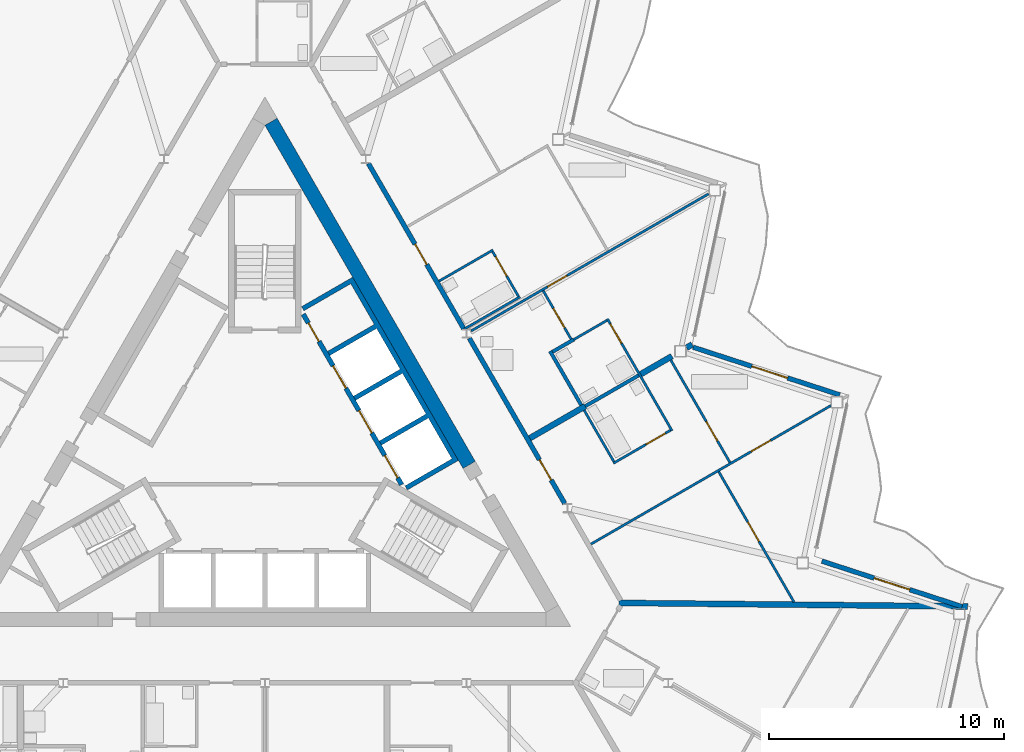
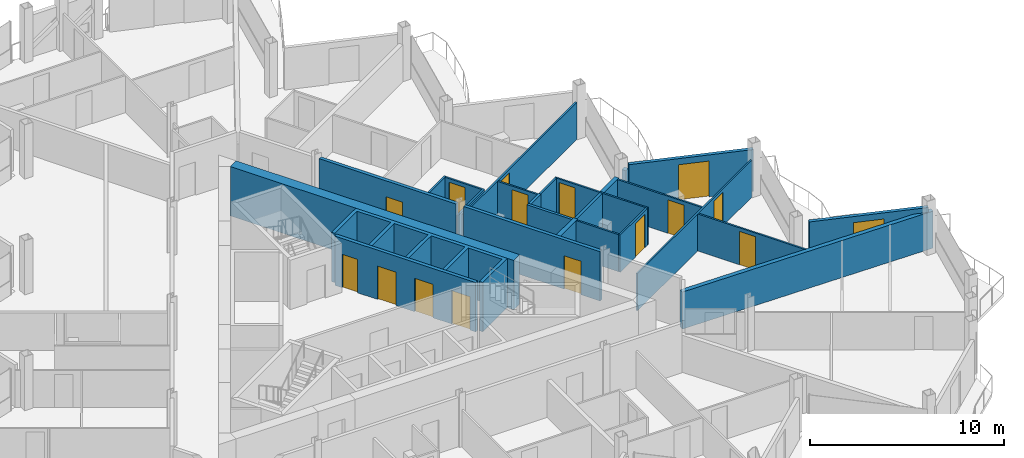
# One storey, part 16 of 26: 26 walls, 16 doors, 16 openings.
"""IFC4 building model written with IfcOpenShell, lengths in metres."""

from ifc_helpers import new_model, si_unit, direction, frame, frame_2d, origin, place, context, subcontext, project, spatial, polyline, rectangle, outline, extrude, material, layer, layer_set, type_object, element, fill, save


model = new_model("IFC4")

# Units and contexts
model_context = context("Model", 3, precision=1e-05, world=origin(), true_north=direction((0.0, 1.0)))
body_context = subcontext(model_context, "Body", "Model", "MODEL_VIEW")
ifc_project = project(units=[si_unit("LENGTHUNIT", "METRE"), si_unit("AREAUNIT", "SQUARE_METRE"), si_unit("VOLUMEUNIT", "CUBIC_METRE"), si_unit("PLANEANGLEUNIT", "RADIAN"), si_unit("MASSUNIT", "GRAM", prefix="KILO")], contexts=[model_context])

# Site, building, storey
site_placement = place(None, origin())
site = spatial("IfcSite", under=ifc_project, at=site_placement, CompositionType="ELEMENT")
building_placement = place(site_placement, origin())
building = spatial("IfcBuilding", under=site, at=building_placement, Name="Cormorant Prow Tower", CompositionType="ELEMENT")
storey_placement = place(building_placement, frame((0.0, 0.0, 378.0)))
storey = spatial("IfcBuildingStorey", under=building, at=storey_placement, Name="L85", CompositionType="ELEMENT", Elevation=378.0)

# Wall
ifc_material_1 = material(Name="Concrete 8000 psi", Category="concrete")
ifc_layer_1 = layer(ifc_material_1, 0.60009765625)
ifc_layer_set_1 = layer_set([ifc_layer_1], Name="Concrete 8000 psi")
wall_type_1 = type_object("IfcWallType", Name="Core shear wall 600", PredefinedType="SHEAR", material=ifc_layer_set_1)
wall_1_placement = place(storey_placement, frame((8.686279296875, -0.6337890625, 0.0), z_axis=(0.0, 0.0, 1.0), x_axis=(-0.500004601921, 0.866022746848, 0.0)))
element("IfcWall", 1, at=wall_1_placement, inside=storey, type_object=wall_type_1, Name="Core wall", PredefinedType="SHEAR", context=body_context, shape_type="SweptSolid", body=[
    extrude(rectangle(XDim=16.852783203125, YDim=0.60009765625, at=frame_2d((8.42626953125, 0.0))), origin(), (0.0, 0.0, 1.0), 3.10009765625),
])

# Wall, opening, door
ifc_material_2 = material(Name="Gypsum board corridor wall")
ifc_layer_2 = layer(ifc_material_2, 0.199951171875)
ifc_layer_set_2 = layer_set([ifc_layer_2], Name="Gypsum board corridor wall")
wall_type_2 = type_object("IfcWallType", Name="Corridor wall 200", PredefinedType="PARTITIONING", material=ifc_layer_set_2)
wall_2_placement = place(storey_placement, frame((4.403076171875, 12.184814453125, 0.0), z_axis=(0.0, 0.0, 1.0), x_axis=(0.499992155518, -0.866029932751, 0.0)))
wall_2 = element("IfcWall", 2, at=wall_2_placement, inside=storey, type_object=wall_type_2, Name="Corridor wall", PredefinedType="PARTITIONING", context=body_context, shape_type="SweptSolid", body=[
    extrude(rectangle(XDim=8.123291015625, YDim=0.199951171875, at=frame_2d((4.0615234375, 0.0))), origin(), (0.0, 0.0, 1.0), 3.10009765625),
])
opening_1_placement = place(wall_2_placement, frame((3.963134765625, 0.0, 0.0)))
opening_1 = element("IfcOpeningElement", 3, at=opening_1_placement, cuts=wall_2, Name="Opening L85-F27", PredefinedType="OPENING", context=body_context, shape_type="SweptSolid", body=[
    extrude(rectangle(XDim=1.0, YDim=2.10009765625, at=frame_2d((0.5, 1.050048828125))), frame((0.0, 0.10986328125, 0.0), z_axis=(0.0, -1.0, 0.0), x_axis=(1.0, 0.0, 0.0)), (0.0, 0.0, 1.0), 0.219970703125),
])
ifc_material_3 = material(Name="Timber door leaf", Category="wood")
door_type_1 = type_object("IfcDoorType", Name="Flat or room entrance door 1000x2100", OperationType="NOTDEFINED", PredefinedType="DOOR", material=ifc_material_3)
door_1_placement = place(opening_1_placement, origin())
door_1 = element("IfcDoor", 4, at=door_1_placement, inside=storey, type_object=door_type_1, Name="Living room door", OperationType="SINGLE_SWING_LEFT", OverallHeight=2.10009765625, OverallWidth=1.0, PredefinedType="DOOR", context=body_context, shape_type="SweptSolid", body=[
    extrude(rectangle(XDim=1.0, YDim=2.10009765625, at=frame_2d((0.5, 1.050048828125))), frame((0.0, 0.02490234375, 0.0), z_axis=(0.0, -1.0, 0.0), x_axis=(1.0, 0.0, 0.0)), (0.0, 0.0, 1.0), 0.050048828125),
])
fill(opening_1, door_1)

wall_3_placement = place(storey_placement, frame((8.692138671875, 4.755859375, 0.0), z_axis=(0.0, 0.0, 1.0), x_axis=(0.500001682468, -0.866024432409, 0.0)))
wall_3 = element("IfcWall", 5, at=wall_3_placement, inside=storey, type_object=wall_type_2, Name="Corridor wall", PredefinedType="PARTITIONING", context=body_context, shape_type="SweptSolid", body=[
    extrude(rectangle(XDim=8.12353515625, YDim=0.199951171875, at=frame_2d((4.061767578125, 0.0))), origin(), (0.0, 0.0, 1.0), 3.10009765625),
])
opening_2_placement = place(wall_3_placement, frame((5.97021484375, 0.0, 0.0)))
opening_2 = element("IfcOpeningElement", 6, at=opening_2_placement, cuts=wall_3, Name="Opening L85-F22", PredefinedType="OPENING", context=body_context, shape_type="SweptSolid", body=[
    extrude(rectangle(XDim=1.0, YDim=2.10009765625, at=frame_2d((0.5, 1.050048828125))), frame((0.0, 0.10986328125, 0.0), z_axis=(0.0, -1.0, 0.0), x_axis=(1.0, 0.0, 0.0)), (0.0, 0.0, 1.0), 0.219970703125),
])
door_2_placement = place(opening_2_placement, origin())
door_2 = element("IfcDoor", 7, at=door_2_placement, inside=storey, type_object=door_type_1, Name="Living room door", OperationType="SINGLE_SWING_LEFT", OverallHeight=2.10009765625, OverallWidth=1.0, PredefinedType="DOOR", context=body_context, shape_type="SweptSolid", body=[
    extrude(rectangle(XDim=1.0, YDim=2.10009765625, at=frame_2d((0.5, 1.050048828125))), frame((0.0, 0.02490234375, 0.0), z_axis=(0.0, -1.0, 0.0), x_axis=(1.0, 0.0, 0.0)), (0.0, 0.0, 1.0), 0.050048828125),
])
fill(opening_2, door_2)

ifc_material_4 = material(Name="Gypsum board partition")
ifc_layer_3 = layer(ifc_material_4, 0.10009765625)
ifc_layer_set_3 = layer_set([ifc_layer_3], Name="Gypsum board partition")
wall_type_3 = type_object("IfcWallType", Name="Internal partition 100", PredefinedType="PARTITIONING", material=ifc_layer_set_3)
wall_4_placement = place(storey_placement, frame((13.864990234375, -4.00390625, 0.0), z_axis=(0.0, 0.0, 1.0), x_axis=(0.866023404247, 0.500003463284, 0.0)))
wall_4 = element("IfcWall", 8, at=wall_4_placement, inside=storey, type_object=wall_type_3, Name="Internal partition", PredefinedType="PARTITIONING", context=body_context, shape_type="SweptSolid", body=[
    extrude(rectangle(XDim=11.7822265625, YDim=0.10009765625, at=frame_2d((5.89111328125, 0.0))), origin(), (0.0, 0.0, 1.0), 2.330078125),
])
opening_3_placement = place(wall_4_placement, frame((7.87353515625, 0.0, 0.0)))
opening_3 = element("IfcOpeningElement", 9, at=opening_3_placement, cuts=wall_4, Name="Opening L85-F25", PredefinedType="OPENING", context=body_context, shape_type="SweptSolid", body=[
    extrude(rectangle(XDim=0.949951171875, YDim=2.10009765625, at=frame_2d((0.47509765625, 1.050048828125))), frame((0.0, 0.06005859375, 0.0), z_axis=(0.0, -1.0, 0.0), x_axis=(1.0, 0.0, 0.0)), (0.0, 0.0, 1.0), 0.1201171875),
])
ifc_material_5 = material(Name="Timber door leaf", Category="wood")
door_type_2 = type_object("IfcDoorType", Name="Bathroom door 950x2100", OperationType="NOTDEFINED", PredefinedType="DOOR", material=ifc_material_5)
door_3_placement = place(opening_3_placement, origin())
door_3 = element("IfcDoor", 10, at=door_3_placement, inside=storey, type_object=door_type_2, Name="Kitchen door", OperationType="SINGLE_SWING_LEFT", OverallHeight=2.10009765625, OverallWidth=0.949951171875, PredefinedType="DOOR", context=body_context, shape_type="SweptSolid", body=[
    extrude(rectangle(XDim=0.949951171875, YDim=2.10009765625, at=frame_2d((0.47509765625, 1.050048828125))), frame((0.0, 0.02490234375, 0.0), z_axis=(0.0, -1.0, 0.0), x_axis=(1.0, 0.0, 0.0)), (0.0, 0.0, 1.0), 0.050048828125),
])
fill(opening_3, door_3)

wall_5_placement = place(storey_placement, frame((8.775390625, 5.06640625, 0.0), z_axis=(0.0, 0.0, 1.0), x_axis=(0.866023724155, 0.500002909193, 0.0)))
wall_5 = element("IfcWall", 11, at=wall_5_placement, inside=storey, type_object=wall_type_3, Name="Internal partition", PredefinedType="PARTITIONING", context=body_context, shape_type="SweptSolid", body=[
    extrude(rectangle(XDim=11.65478515625, YDim=0.10009765625, at=frame_2d((5.827392578125, 0.0))), origin(), (0.0, 0.0, 1.0), 2.330078125),
])
opening_4_placement = place(wall_5_placement, frame((3.75146484375, 0.0, 0.0)))
opening_4 = element("IfcOpeningElement", 12, at=opening_4_placement, cuts=wall_5, Name="Opening L85-F30", PredefinedType="OPENING", context=body_context, shape_type="SweptSolid", body=[
    extrude(rectangle(XDim=0.949951171875, YDim=2.10009765625, at=frame_2d((0.47509765625, 1.050048828125))), frame((0.0, 0.06005859375, 0.0), z_axis=(0.0, -1.0, 0.0), x_axis=(1.0, 0.0, 0.0)), (0.0, 0.0, 1.0), 0.1201171875),
])
door_4_placement = place(opening_4_placement, origin())
door_4 = element("IfcDoor", 13, at=door_4_placement, inside=storey, type_object=door_type_2, Name="Living room door", OperationType="SINGLE_SWING_LEFT", OverallHeight=2.10009765625, OverallWidth=0.949951171875, PredefinedType="DOOR", context=body_context, shape_type="SweptSolid", body=[
    extrude(rectangle(XDim=0.949951171875, YDim=2.10009765625, at=frame_2d((0.47509765625, 1.050048828125))), frame((0.0, 0.02490234375, 0.0), z_axis=(0.0, -1.0, 0.0), x_axis=(1.0, 0.0, 0.0)), (0.0, 0.0, 1.0), 0.050048828125),
])
fill(opening_4, door_4)

wall_6_placement = place(storey_placement, frame((19.301513671875, -0.9228515625, 0.0), z_axis=(0.0, 0.0, 1.0), x_axis=(0.499999516514, -0.866025682925, 0.0)))
wall_6 = element("IfcWall", 14, at=wall_6_placement, inside=storey, type_object=wall_type_3, Name="Internal partition", PredefinedType="PARTITIONING", context=body_context, shape_type="SweptSolid", body=[
    extrude(rectangle(XDim=6.4072265625, YDim=0.10009765625, at=frame_2d((3.20361328125, 0.0))), origin(), (0.0, 0.0, 1.0), 2.330078125),
])
opening_5_placement = place(wall_6_placement, frame((2.4755859375, 0.0, 0.0)))
opening_5 = element("IfcOpeningElement", 15, at=opening_5_placement, cuts=wall_6, Name="Opening L85-F26", PredefinedType="OPENING", context=body_context, shape_type="SweptSolid", body=[
    extrude(rectangle(XDim=0.949951171875, YDim=2.10009765625, at=frame_2d((0.47509765625, 1.050048828125))), frame((0.0, 0.06005859375, 0.0), z_axis=(0.0, -1.0, 0.0), x_axis=(1.0, 0.0, 0.0)), (0.0, 0.0, 1.0), 0.1201171875),
])
door_5_placement = place(opening_5_placement, origin())
door_5 = element("IfcDoor", 16, at=door_5_placement, inside=storey, type_object=door_type_2, Name="Bedroom door", OperationType="SINGLE_SWING_LEFT", OverallHeight=2.10009765625, OverallWidth=0.949951171875, PredefinedType="DOOR", context=body_context, shape_type="SweptSolid", body=[
    extrude(rectangle(XDim=0.949951171875, YDim=2.10009765625, at=frame_2d((0.47509765625, 1.050048828125))), frame((0.0, 0.02490234375, 0.0), z_axis=(0.0, -1.0, 0.0), x_axis=(1.0, 0.0, 0.0)), (0.0, 0.0, 1.0), 0.050048828125),
])
fill(opening_5, door_5)

wall_7_placement = place(storey_placement, frame((14.566650390625, 5.5810546875, 0.0), z_axis=(0.0, 0.0, 1.0), x_axis=(0.499996545922, -0.866027397988, 0.0)))
wall_7 = element("IfcWall", 17, at=wall_7_placement, inside=storey, type_object=wall_type_3, Name="Internal partition", PredefinedType="PARTITIONING", context=body_context, shape_type="SweptSolid", body=[
    extrude(rectangle(XDim=5.5, YDim=0.10009765625, at=frame_2d((2.75, 0.0))), origin(), (0.0, 0.0, 1.0), 2.330078125),
])
opening_6_placement = place(wall_7_placement, frame((0.25, 0.0, 0.0)))
opening_6 = element("IfcOpeningElement", 18, at=opening_6_placement, cuts=wall_7, Name="Opening L85-F34", PredefinedType="OPENING", context=body_context, shape_type="SweptSolid", body=[
    extrude(rectangle(XDim=0.949951171875, YDim=2.10009765625, at=frame_2d((0.47509765625, 1.050048828125))), frame((0.0, 0.06005859375, 0.0), z_axis=(0.0, -1.0, 0.0), x_axis=(1.0, 0.0, 0.0)), (0.0, 0.0, 1.0), 0.1201171875),
])
door_6_placement = place(opening_6_placement, origin())
door_6 = element("IfcDoor", 19, at=door_6_placement, inside=storey, type_object=door_type_2, Name="Bedroom door", OperationType="SINGLE_SWING_LEFT", OverallHeight=2.10009765625, OverallWidth=0.949951171875, PredefinedType="DOOR", context=body_context, shape_type="SweptSolid", body=[
    extrude(rectangle(XDim=0.949951171875, YDim=2.10009765625, at=frame_2d((0.47509765625, 1.050048828125))), frame((0.0, 0.02490234375, 0.0), z_axis=(0.0, -1.0, 0.0), x_axis=(1.0, 0.0, 0.0)), (0.0, 0.0, 1.0), 0.050048828125),
])
fill(opening_6, door_6)

wall_8_placement = place(storey_placement, frame((17.266357421875, 3.81982421875, 0.0), z_axis=(0.0, 0.0, 1.0), x_axis=(0.499990214365, -0.86603105345, 0.0)))
wall_8 = element("IfcWall", 20, at=wall_8_placement, inside=storey, type_object=wall_type_3, Name="Internal partition", PredefinedType="PARTITIONING", context=body_context, shape_type="SweptSolid", body=[
    extrude(rectangle(XDim=5.02490234375, YDim=0.10009765625, at=frame_2d((2.512451171875, 0.0))), origin(), (0.0, 0.0, 1.0), 2.330078125),
])
opening_7_placement = place(wall_8_placement, frame((3.0078125, 0.0, 0.0)))
opening_7 = element("IfcOpeningElement", 21, at=opening_7_placement, cuts=wall_8, Name="Opening L85-F24", PredefinedType="OPENING", context=body_context, shape_type="SweptSolid", body=[
    extrude(rectangle(XDim=0.949951171875, YDim=2.10009765625, at=frame_2d((0.47509765625, 1.050048828125))), frame((0.0, 0.06005859375, 0.0), z_axis=(0.0, -1.0, 0.0), x_axis=(1.0, 0.0, 0.0)), (0.0, 0.0, 1.0), 0.1201171875),
])
door_7_placement = place(opening_7_placement, origin())
door_7 = element("IfcDoor", 22, at=door_7_placement, inside=storey, type_object=door_type_2, Name="Living room door", OperationType="SINGLE_SWING_RIGHT", OverallHeight=2.10009765625, OverallWidth=0.949951171875, PredefinedType="DOOR", context=body_context, shape_type="SweptSolid", body=[
    extrude(rectangle(XDim=0.949951171875, YDim=2.10009765625, at=frame_2d((0.47509765625, 1.050048828125))), frame((0.0, 0.02490234375, 0.0), z_axis=(0.0, -1.0, 0.0), x_axis=(1.0, 0.0, 0.0)), (0.0, 0.0, 1.0), 0.050048828125),
])
fill(opening_7, door_7)

wall_9_placement = place(storey_placement, frame((14.823486328125, -0.563720703125, 0.0), z_axis=(0.0, 0.0, 1.0), x_axis=(0.866034573852, 0.49998411664, 0.0)))
wall_9 = element("IfcWall", 23, at=wall_9_placement, inside=storey, type_object=wall_type_3, Name="Internal partition", PredefinedType="PARTITIONING", context=body_context, shape_type="SweptSolid", body=[
    extrude(rectangle(XDim=2.7998046875, YDim=0.10009765625, at=frame_2d((1.39990234375, 0.0))), origin(), (0.0, 0.0, 1.0), 2.330078125),
])
opening_8_placement = place(wall_9_placement, frame((1.60009765625, 0.0, 0.0)))
opening_8 = element("IfcOpeningElement", 24, at=opening_8_placement, cuts=wall_9, Name="Opening L85-F23", PredefinedType="OPENING", context=body_context, shape_type="SweptSolid", body=[
    extrude(rectangle(XDim=0.949951171875, YDim=2.10009765625, at=frame_2d((0.47509765625, 1.050048828125))), frame((0.0, 0.06005859375, 0.0), z_axis=(0.0, -1.0, 0.0), x_axis=(1.0, 0.0, 0.0)), (0.0, 0.0, 1.0), 0.1201171875),
])
door_8_placement = place(opening_8_placement, origin())
door_8 = element("IfcDoor", 25, at=door_8_placement, inside=storey, type_object=door_type_2, Name="Living room door", OperationType="SINGLE_SWING_RIGHT", OverallHeight=2.10009765625, OverallWidth=0.949951171875, PredefinedType="DOOR", context=body_context, shape_type="SweptSolid", body=[
    extrude(rectangle(XDim=0.949951171875, YDim=2.10009765625, at=frame_2d((0.47509765625, 1.050048828125))), frame((0.0, 0.02490234375, 0.0), z_axis=(0.0, -1.0, 0.0), x_axis=(1.0, 0.0, 0.0)), (0.0, 0.0, 1.0), 0.050048828125),
])
fill(opening_8, door_8)

# Walls
wall_10_placement = place(storey_placement, frame((13.5791015625, 1.691162109375, 0.0), z_axis=(0.0, 0.0, 1.0), x_axis=(0.500048846702, -0.865997200291, 0.0)))
element("IfcWall", 26, at=wall_10_placement, inside=storey, type_object=wall_type_3, Name="Internal partition", PredefinedType="PARTITIONING", context=body_context, shape_type="SweptSolid", body=[
    extrude(rectangle(XDim=2.525146484375, YDim=0.10009765625, at=frame_2d((1.2626953125, 0.0))), origin(), (0.0, 0.0, 1.0), 2.330078125),
])
wall_11_placement = place(storey_placement, frame((7.406982421875, 7.181640625, 0.0), z_axis=(0.0, 0.0, 1.0), x_axis=(0.866052124492, 0.499953715521, 0.0)))
element("IfcWall", 27, at=wall_11_placement, inside=storey, type_object=wall_type_3, Name="Internal partition", PredefinedType="PARTITIONING", context=body_context, shape_type="SweptSolid", body=[
    extrude(rectangle(XDim=2.650146484375, YDim=0.10009765625, at=frame_2d((1.3251953125, 0.0))), origin(), (0.0, 0.0, 1.0), 2.330078125),
])
wall_12_placement = place(storey_placement, frame((8.48779296875, 5.14990234375, 0.0), z_axis=(0.0, 0.0, 1.0), x_axis=(0.866027727466, 0.499995975244, 0.0)))
element("IfcWall", 28, at=wall_12_placement, inside=storey, type_object=wall_type_3, Name="Internal partition", PredefinedType="PARTITIONING", context=body_context, shape_type="SweptSolid", body=[
    extrude(rectangle(XDim=2.72998046875, YDim=0.10009765625, at=frame_2d((1.364990234375, 0.0))), origin(), (0.0, 0.0, 1.0), 2.330078125),
])

# Wall, opening, door
wall_13_placement = place(storey_placement, frame((11.8349609375, 6.775146484375, 0.0), z_axis=(0.0, 0.0, 1.0), x_axis=(0.500030943131, -0.866007538022, 0.0)))
wall_13 = element("IfcWall", 29, at=wall_13_placement, inside=storey, type_object=wall_type_3, Name="Internal partition", PredefinedType="PARTITIONING", context=body_context, shape_type="SweptSolid", body=[
    extrude(rectangle(XDim=2.374755859375, YDim=0.10009765625, at=frame_2d((1.1875, 0.0))), origin(), (0.0, 0.0, 1.0), 2.330078125),
])
opening_9_placement = place(wall_13_placement, frame((0.86669921875, 0.0, 0.0)))
opening_9 = element("IfcOpeningElement", 30, at=opening_9_placement, cuts=wall_13, Name="Opening L85-F31", PredefinedType="OPENING", context=body_context, shape_type="SweptSolid", body=[
    extrude(rectangle(XDim=0.949951171875, YDim=2.10009765625, at=frame_2d((0.47509765625, 1.050048828125))), frame((0.0, 0.06005859375, 0.0), z_axis=(0.0, -1.0, 0.0), x_axis=(1.0, 0.0, 0.0)), (0.0, 0.0, 1.0), 0.1201171875),
])
door_9_placement = place(opening_9_placement, origin())
door_9 = element("IfcDoor", 31, at=door_9_placement, inside=storey, type_object=door_type_2, Name="Bedroom door", OperationType="SINGLE_SWING_RIGHT", OverallHeight=2.10009765625, OverallWidth=0.949951171875, PredefinedType="DOOR", context=body_context, shape_type="SweptSolid", body=[
    extrude(rectangle(XDim=0.949951171875, YDim=2.10009765625, at=frame_2d((0.47509765625, 1.050048828125))), frame((0.0, 0.02490234375, 0.0), z_axis=(0.0, -1.0, 0.0), x_axis=(1.0, 0.0, 0.0)), (0.0, 0.0, 1.0), 0.050048828125),
])
fill(opening_9, door_9)

wall_14_placement = place(storey_placement, frame((9.683837890625, 8.438232421875, 0.0), z_axis=(0.0, 0.0, 1.0), x_axis=(0.499994660107, -0.866028486751, 0.0)))
wall_14 = element("IfcWall", 32, at=wall_14_placement, inside=storey, type_object=wall_type_3, Name="Internal partition", PredefinedType="PARTITIONING", context=body_context, shape_type="SweptSolid", body=[
    extrude(rectangle(XDim=2.19970703125, YDim=0.10009765625, at=frame_2d((1.099853515625, 0.0))), origin(), (0.0, 0.0, 1.0), 2.330078125),
])
opening_10_placement = place(wall_14_placement, frame((0.25, 0.0, 0.0)))
opening_10 = element("IfcOpeningElement", 33, at=opening_10_placement, cuts=wall_14, Name="Opening L85-F28", PredefinedType="OPENING", context=body_context, shape_type="SweptSolid", body=[
    extrude(rectangle(XDim=0.949951171875, YDim=2.10009765625, at=frame_2d((0.47509765625, 1.050048828125))), frame((0.0, 0.06005859375, 0.0), z_axis=(0.0, -1.0, 0.0), x_axis=(1.0, 0.0, 0.0)), (0.0, 0.0, 1.0), 0.1201171875),
])
door_10_placement = place(opening_10_placement, origin())
door_10 = element("IfcDoor", 34, at=door_10_placement, inside=storey, type_object=door_type_2, Name="Living room door", OperationType="SINGLE_SWING_LEFT", OverallHeight=2.10009765625, OverallWidth=0.949951171875, PredefinedType="DOOR", context=body_context, shape_type="SweptSolid", body=[
    extrude(rectangle(XDim=0.949951171875, YDim=2.10009765625, at=frame_2d((0.47509765625, 1.050048828125))), frame((0.0, 0.02490234375, 0.0), z_axis=(0.0, -1.0, 0.0), x_axis=(1.0, 0.0, 0.0)), (0.0, 0.0, 1.0), 0.050048828125),
])
fill(opening_10, door_10)

# Wall
wall_15_placement = place(storey_placement, frame((13.1162109375, 4.68603515625, 0.0), z_axis=(0.0, 0.0, 1.0), x_axis=(0.866072496716, 0.499918423778, 0.0)))
element("IfcWall", 35, at=wall_15_placement, inside=storey, type_object=wall_type_3, Name="Internal partition", PredefinedType="PARTITIONING", context=body_context, shape_type="SweptSolid", body=[
    extrude(rectangle(XDim=1.653564453125, YDim=0.10009765625, at=frame_2d((0.82666015625, 0.0))), origin(), (0.0, 0.0, 1.0), 2.330078125),
])

# Wall, openings, doors
ifc_material_6 = material(Name="Concrete 5000 psi", Category="concrete")
ifc_layer_4 = layer(ifc_material_6, 0.199951171875)
ifc_layer_set_4 = layer_set([ifc_layer_4], Name="Concrete 5000 psi")
wall_type_4 = type_object("IfcWallType", Name="Lift lobby wall 200", PredefinedType="SOLIDWALL", material=ifc_layer_set_4)
wall_16_placement = place(storey_placement, frame((5.817138671875, -1.4755859375, 0.0), z_axis=(0.0, 0.0, 1.0), x_axis=(-0.500002616675, 0.866023893041, 0.0)))
wall_16 = element("IfcWall", 36, at=wall_16_placement, inside=storey, type_object=wall_type_4, Name="Lift lobby wall, ENE block", PredefinedType="SOLIDWALL", context=body_context, shape_type="SweptSolid", body=[
    extrude(rectangle(XDim=8.373046875, YDim=0.199951171875, at=frame_2d((4.1865234375, 0.0))), origin(), (0.0, 0.0, 1.0), 3.10009765625),
])
opening_11_placement = place(wall_16_placement, frame((0.336669921875, 0.0, 0.0)))
opening_11 = element("IfcOpeningElement", 37, at=opening_11_placement, cuts=wall_16, Name="Opening L85-C05", PredefinedType="OPENING", context=body_context, shape_type="SweptSolid", body=[
    extrude(rectangle(XDim=1.10009765625, YDim=2.10009765625, at=frame_2d((0.550048828125, 1.050048828125))), frame((0.0, 0.10986328125, 0.0), z_axis=(0.0, -1.0, 0.0), x_axis=(1.0, 0.0, 0.0)), (0.0, 0.0, 1.0), 0.219970703125),
])
opening_12_placement = place(wall_16_placement, frame((2.53662109375, 0.0, 0.0)))
opening_12 = element("IfcOpeningElement", 38, at=opening_12_placement, cuts=wall_16, Name="Opening L85-C06", PredefinedType="OPENING", context=body_context, shape_type="SweptSolid", body=[
    extrude(rectangle(XDim=1.10009765625, YDim=2.10009765625, at=frame_2d((0.550048828125, 1.050048828125))), frame((0.0, 0.10986328125, 0.0), z_axis=(0.0, -1.0, 0.0), x_axis=(1.0, 0.0, 0.0)), (0.0, 0.0, 1.0), 0.219970703125),
])
opening_13_placement = place(wall_16_placement, frame((4.736572265625, 0.0, 0.0)))
opening_13 = element("IfcOpeningElement", 39, at=opening_13_placement, cuts=wall_16, Name="Opening L85-C07", PredefinedType="OPENING", context=body_context, shape_type="SweptSolid", body=[
    extrude(rectangle(XDim=1.10009765625, YDim=2.10009765625, at=frame_2d((0.550048828125, 1.050048828125))), frame((0.0, 0.10986328125, 0.0), z_axis=(0.0, -1.0, 0.0), x_axis=(1.0, 0.0, 0.0)), (0.0, 0.0, 1.0), 0.219970703125),
])
opening_14_placement = place(wall_16_placement, frame((7.03662109375, 0.0, 0.0)))
opening_14 = element("IfcOpeningElement", 40, at=opening_14_placement, cuts=wall_16, Name="Opening L85-C08", PredefinedType="OPENING", context=body_context, shape_type="SweptSolid", body=[
    extrude(rectangle(XDim=0.89990234375, YDim=2.10009765625, at=frame_2d((0.449951171875, 1.050048828125))), frame((0.0, 0.10986328125, 0.0), z_axis=(0.0, -1.0, 0.0), x_axis=(1.0, 0.0, 0.0)), (0.0, 0.0, 1.0), 0.219970703125),
])
ifc_material_7 = material(Name="Painted steel", Category="steel")
door_type_3 = type_object("IfcDoorType", Name="Lift landing door 1100x2100", OperationType="SLIDING_TO_LEFT", PredefinedType="DOOR", material=ifc_material_7)
door_11_placement = place(opening_11_placement, origin())
door_11 = element("IfcDoor", 41, at=door_11_placement, inside=storey, type_object=door_type_3, Name="Landing door HR2", OperationType="SLIDING_TO_LEFT", OverallHeight=2.10009765625, OverallWidth=1.10009765625, PredefinedType="DOOR", context=body_context, shape_type="SweptSolid", body=[
    extrude(rectangle(XDim=1.10009765625, YDim=2.10009765625, at=frame_2d((0.550048828125, 1.050048828125))), frame((0.0, 0.02490234375, 0.0), z_axis=(0.0, -1.0, 0.0), x_axis=(1.0, 0.0, 0.0)), (0.0, 0.0, 1.0), 0.050048828125),
])
fill(opening_11, door_11)
door_12_placement = place(opening_12_placement, origin())
door_12 = element("IfcDoor", 42, at=door_12_placement, inside=storey, type_object=door_type_3, Name="Landing door HR3", OperationType="SLIDING_TO_LEFT", OverallHeight=2.10009765625, OverallWidth=1.10009765625, PredefinedType="DOOR", context=body_context, shape_type="SweptSolid", body=[
    extrude(rectangle(XDim=1.10009765625, YDim=2.10009765625, at=frame_2d((0.550048828125, 1.050048828125))), frame((0.0, 0.02490234375, 0.0), z_axis=(0.0, -1.0, 0.0), x_axis=(1.0, 0.0, 0.0)), (0.0, 0.0, 1.0), 0.050048828125),
])
fill(opening_12, door_12)
door_13_placement = place(opening_13_placement, origin())
door_13 = element("IfcDoor", 43, at=door_13_placement, inside=storey, type_object=door_type_3, Name="Landing door HR4", OperationType="SLIDING_TO_LEFT", OverallHeight=2.10009765625, OverallWidth=1.10009765625, PredefinedType="DOOR", context=body_context, shape_type="SweptSolid", body=[
    extrude(rectangle(XDim=1.10009765625, YDim=2.10009765625, at=frame_2d((0.550048828125, 1.050048828125))), frame((0.0, 0.02490234375, 0.0), z_axis=(0.0, -1.0, 0.0), x_axis=(1.0, 0.0, 0.0)), (0.0, 0.0, 1.0), 0.050048828125),
])
fill(opening_13, door_13)
ifc_material_8 = material(Name="Painted steel", Category="steel")
door_type_4 = type_object("IfcDoorType", Name="Service door 900x2100", OperationType="NOTDEFINED", PredefinedType="DOOR", material=ifc_material_8)
door_14_placement = place(opening_14_placement, origin())
door_14 = element("IfcDoor", 44, at=door_14_placement, inside=storey, type_object=door_type_4, Name="Service door, Housekeeping store", OperationType="SINGLE_SWING_RIGHT", OverallHeight=2.10009765625, OverallWidth=0.89990234375, PredefinedType="DOOR", context=body_context, shape_type="SweptSolid", body=[
    extrude(rectangle(XDim=0.89990234375, YDim=2.10009765625, at=frame_2d((0.449951171875, 1.050048828125))), frame((0.0, 0.02490234375, 0.0), z_axis=(0.0, -1.0, 0.0), x_axis=(1.0, 0.0, 0.0)), (0.0, 0.0, 1.0), 0.050048828125),
])
fill(opening_14, door_14)

# Walls
ifc_material_9 = material(Name="Concrete 8000 psi", Category="concrete")
ifc_layer_5 = layer(ifc_material_9, 0.199951171875)
ifc_layer_set_5 = layer_set([ifc_layer_5], Name="Concrete 8000 psi")
wall_type_5 = type_object("IfcWallType", Name="Lift shaft wall 200", PredefinedType="SHEAR", material=ifc_layer_set_5)
wall_17_placement = place(storey_placement, origin())
element("IfcWall", 45, at=wall_17_placement, inside=storey, type_object=wall_type_5, Name="Lift shaft walls, ENE block", PredefinedType="SHEAR", context=body_context, shape_type="SweptSolid", body=[
    extrude(outline(polyline([(1.560546875, 6.09716796875), (3.730712890625, 7.35009765625), (8.230712890625, -0.444091796875), (6.060546875, -1.697021484375), (5.96044921875, -1.52392578125), (7.952392578125, -0.373779296875), (6.952392578125, 1.358154296875), (4.96044921875, 0.2080078125), (4.860595703125, 0.38134765625), (6.852294921875, 1.53125), (5.852294921875, 3.263427734375), (3.860595703125, 2.11328125), (3.760498046875, 2.28662109375), (5.75244140625, 3.4365234375), (4.75244140625, 5.168701171875), (2.760498046875, 4.018798828125), (2.660400390625, 4.19189453125), (4.65234375, 5.341796875), (3.65234375, 7.073974609375), (1.660400390625, 5.923828125), (1.560546875, 6.09716796875)])), origin(), (0.0, 0.0, 1.0), 3.10009765625),
])
ifc_material_10 = material(Name="Acoustic gypsum party wall")
ifc_layer_6 = layer(ifc_material_10, 0.25)
ifc_layer_set_6 = layer_set([ifc_layer_6], Name="Acoustic gypsum party wall")
wall_type_6 = type_object("IfcWallType", Name="Suite party wall 250", PredefinedType="PARTITIONING", material=ifc_layer_set_6)
wall_18_placement = place(storey_placement, frame((15.06884765625, -6.504150390625, 0.0), z_axis=(0.0, 0.0, 1.0), x_axis=(0.999949045807, -0.01009483976, 0.0)))
element("IfcWall", 46, at=wall_18_placement, inside=storey, type_object=wall_type_6, Name="Suite party wall", PredefinedType="PARTITIONING", context=body_context, shape_type="SweptSolid", body=[
    extrude(rectangle(XDim=14.8251953125, YDim=0.25, at=frame_2d((7.41259765625, 0.0))), origin(), (0.0, 0.0, 1.0), 2.330078125),
])
wall_19_placement = place(storey_placement, frame((11.26513671875, 0.49951171875, 0.0), z_axis=(0.0, 0.0, 1.0), x_axis=(0.866051307416, 0.49995513091, 0.0)))
element("IfcWall", 47, at=wall_19_placement, inside=storey, type_object=wall_type_6, Name="Suite party wall", PredefinedType="PARTITIONING", context=body_context, shape_type="SweptSolid", body=[
    extrude(rectangle(XDim=2.724853515625, YDim=0.25, at=frame_2d((1.3623046875, 0.0))), origin(), (0.0, 0.0, 1.0), 2.330078125),
])
wall_20_placement = place(storey_placement, frame((15.98486328125, 3.224365234375, 0.0), z_axis=(0.0, 0.0, 1.0), x_axis=(0.865989259495, 0.50006259852, 0.0)))
element("IfcWall", 48, at=wall_20_placement, inside=storey, type_object=wall_type_6, Name="Suite party wall", PredefinedType="PARTITIONING", context=body_context, shape_type="SweptSolid", body=[
    extrude(rectangle(XDim=1.532470703125, YDim=0.25, at=frame_2d((0.76611328125, 0.0))), origin(), (0.0, 0.0, 1.0), 2.330078125),
])
wall_21_placement = place(storey_placement, frame((17.933837890625, 4.349609375, 0.0), z_axis=(0.0, 0.0, 1.0), x_axis=(0.866288059981, 0.499544789918, 0.0)))
element("IfcWall", 49, at=wall_21_placement, inside=storey, type_object=wall_type_6, Name="Suite party wall", PredefinedType="PARTITIONING", context=body_context, shape_type="SweptSolid", body=[
    extrude(rectangle(XDim=0.277587890625, YDim=0.25, at=frame_2d((0.138671875, 0.0))), origin(), (0.0, 0.0, 1.0), 2.330078125),
])

# Wall, opening, door
ifc_material_11 = material(Name="Terracotta", Category="masonry")
ifc_layer_7 = layer(ifc_material_11, 0.199951171875)
ifc_layer_set_7 = layer_set([ifc_layer_7], Name="Terracotta")
wall_type_7 = type_object("IfcWallType", Name="Terracotta jamb wall 200", PredefinedType="SOLIDWALL", material=ifc_layer_set_7)
wall_22_placement = place(storey_placement, frame((29.64990234375, -6.66259765625, 0.0), z_axis=(0.0, 0.0, 1.0), x_axis=(-0.951056402988, 0.3090173431, 0.0)))
wall_22 = element("IfcWall", 50, at=wall_22_placement, inside=storey, type_object=wall_type_7, Name="Terracotta jamb wall ENE01", PredefinedType="SOLIDWALL", context=body_context, shape_type="SweptSolid", body=[
    extrude(rectangle(XDim=6.26513671875, YDim=0.199951171875, at=frame_2d((3.132568359375, 0.0))), origin(), (0.0, 0.0, 1.0), 2.6337890625),
])
opening_15_placement = place(wall_22_placement, frame((2.332763671875, 0.0, 0.0)))
opening_15 = element("IfcOpeningElement", 51, at=opening_15_placement, cuts=wall_22, Name="Opening ED85.06", PredefinedType="OPENING", context=body_context, shape_type="SweptSolid", body=[
    extrude(rectangle(XDim=1.60009765625, YDim=2.25, at=frame_2d((0.800048828125, 1.125))), frame((0.0, 0.10986328125, 0.0), z_axis=(0.0, -1.0, 0.0), x_axis=(1.0, 0.0, 0.0)), (0.0, 0.0, 1.0), 0.219970703125),
])
ifc_material_12 = material(Name="Aluminium 6063-T6", Category="aluminium")
door_type_5 = type_object("IfcDoorType", Name="Balcony door 1600x2250", OperationType="DOUBLE_DOOR_SINGLE_SWING", PredefinedType="DOOR", material=ifc_material_12)
door_15_placement = place(opening_15_placement, origin())
door_15 = element("IfcDoor", 52, at=door_15_placement, inside=storey, type_object=door_type_5, Name="Balcony door ENE01 ED85.06", OperationType="DOUBLE_DOOR_SINGLE_SWING", OverallHeight=2.25, OverallWidth=1.60009765625, PredefinedType="DOOR", context=body_context, shape_type="SweptSolid", body=[
    extrude(rectangle(XDim=1.60009765625, YDim=2.25, at=frame_2d((0.800048828125, 1.125))), frame((0.0, 0.02490234375, 0.0), z_axis=(0.0, -1.0, 0.0), x_axis=(1.0, 0.0, 0.0)), (0.0, 0.0, 1.0), 0.050048828125),
])
fill(opening_15, door_15)

wall_23_placement = place(storey_placement, frame((24.449951171875, 2.34423828125, 0.0), z_axis=(0.0, 0.0, 1.0), x_axis=(-0.951062538214, 0.308998460199, 0.0)))
wall_23 = element("IfcWall", 53, at=wall_23_placement, inside=storey, type_object=wall_type_7, Name="Terracotta jamb wall ENE03", PredefinedType="SOLIDWALL", context=body_context, shape_type="SweptSolid", body=[
    extrude(rectangle(XDim=6.55322265625, YDim=0.199951171875, at=frame_2d((3.276611328125, 0.0))), origin(), (0.0, 0.0, 1.0), 2.6337890625),
])
opening_16_placement = place(wall_23_placement, frame((2.332763671875, 0.0, 0.0)))
opening_16 = element("IfcOpeningElement", 54, at=opening_16_placement, cuts=wall_23, Name="Opening ED85.07", PredefinedType="OPENING", context=body_context, shape_type="SweptSolid", body=[
    extrude(rectangle(XDim=1.60009765625, YDim=2.25, at=frame_2d((0.800048828125, 1.125))), frame((0.0, 0.10986328125, 0.0), z_axis=(0.0, -1.0, 0.0), x_axis=(1.0, 0.0, 0.0)), (0.0, 0.0, 1.0), 0.219970703125),
])
door_16_placement = place(opening_16_placement, origin())
door_16 = element("IfcDoor", 55, at=door_16_placement, inside=storey, type_object=door_type_5, Name="Balcony door ENE03 ED85.07", OperationType="DOUBLE_DOOR_SINGLE_SWING", OverallHeight=2.25, OverallWidth=1.60009765625, PredefinedType="DOOR", context=body_context, shape_type="SweptSolid", body=[
    extrude(rectangle(XDim=1.60009765625, YDim=2.25, at=frame_2d((0.800048828125, 1.125))), frame((0.0, 0.02490234375, 0.0), z_axis=(0.0, -1.0, 0.0), x_axis=(1.0, 0.0, 0.0)), (0.0, 0.0, 1.0), 0.050048828125),
])
fill(opening_16, door_16)

# Walls
ifc_material_13 = material(Name="Plasterboard wet wall with pipe chase")
ifc_layer_8 = layer(ifc_material_13, 0.14990234375)
ifc_layer_set_8 = layer_set([ifc_layer_8], Name="Plasterboard wet wall with pipe chase")
wall_type_8 = type_object("IfcWallType", Name="Wet wall 150", PredefinedType="PLUMBINGWALL", material=ifc_layer_set_8)
wall_24_placement = place(storey_placement, frame((13.625, 1.86181640625, 0.0), z_axis=(0.0, 0.0, 1.0), x_axis=(0.866013657776, 0.500020344131, 0.0)))
element("IfcWall", 56, at=wall_24_placement, inside=storey, type_object=wall_type_8, Name="Wet wall", PredefinedType="PLUMBINGWALL", context=body_context, shape_type="SweptSolid", body=[
    extrude(rectangle(XDim=2.625, YDim=0.14990234375, at=frame_2d((1.3125, 0.0))), origin(), (0.0, 0.0, 1.0), 2.330078125),
])
wall_25_placement = place(storey_placement, frame((12.129150390625, 4.20263671875, 0.0), z_axis=(0.0, 0.0, 1.0), x_axis=(0.499993606316, -0.866029095148, 0.0)))
element("IfcWall", 57, at=wall_25_placement, inside=storey, type_object=wall_type_8, Name="Wet wall", PredefinedType="PLUMBINGWALL", context=body_context, shape_type="SweptSolid", body=[
    extrude(rectangle(XDim=2.64990234375, YDim=0.14990234375, at=frame_2d((1.324951171875, 0.0))), origin(), (0.0, 0.0, 1.0), 2.330078125),
])
wall_26_placement = place(storey_placement, frame((12.231689453125, 4.17529296875, 0.0), z_axis=(0.0, 0.0, 1.0), x_axis=(0.866056787991, 0.499945637019, 0.0)))
element("IfcWall", 58, at=wall_26_placement, inside=storey, type_object=wall_type_8, Name="Wet wall", PredefinedType="PLUMBINGWALL", context=body_context, shape_type="SweptSolid", body=[
    extrude(rectangle(XDim=1.04150390625, YDim=0.14990234375, at=frame_2d((0.520751953125, 0.0))), origin(), (0.0, 0.0, 1.0), 2.330078125),
])

save(model, "model.ifc")
